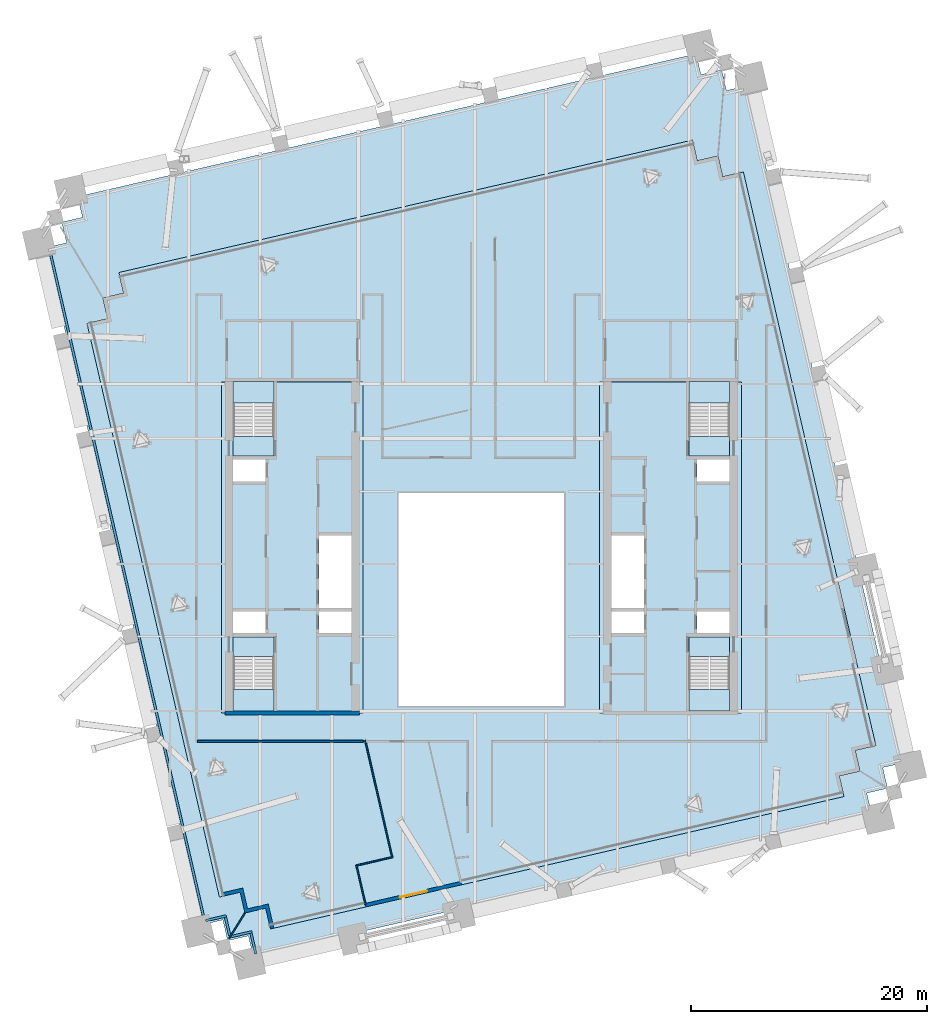
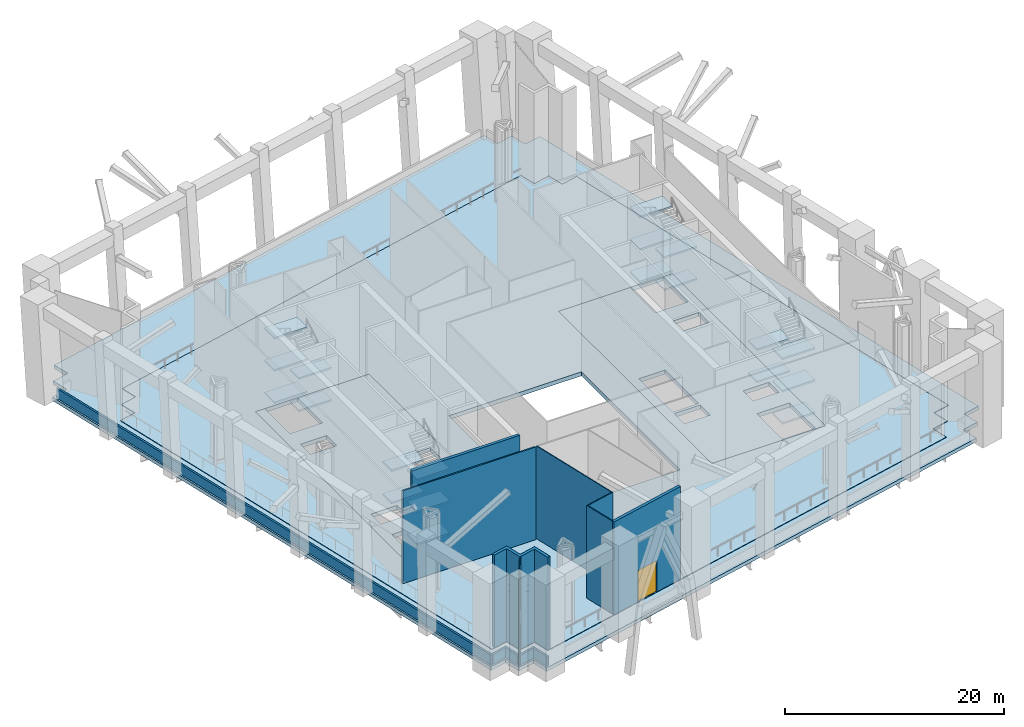
# One storey, part 15 of 25: 24 slabs, 13 walls, 1 door, 1 opening, 4 elements without a shape of their own.
"""IFC4 building model written with IfcOpenShell, lengths in metres."""

from ifc_helpers import new_model, si_unit, direction, frame, frame_2d, origin, place, context, subcontext, project, spatial, polyline, rectangle, outline, extrude, material, layer, layer_set, type_object, element, fill, aggregate, save


model = new_model("IFC4")

# Units and contexts
model_context = context("Model", 3, precision=1e-05, world=origin(), true_north=direction((0.0, 1.0)))
body_context = subcontext(model_context, "Body", "Model", "MODEL_VIEW")
ifc_project = project(units=[si_unit("LENGTHUNIT", "METRE"), si_unit("AREAUNIT", "SQUARE_METRE"), si_unit("VOLUMEUNIT", "CUBIC_METRE"), si_unit("PLANEANGLEUNIT", "RADIAN"), si_unit("MASSUNIT", "GRAM", prefix="KILO")], contexts=[model_context])

# Site, building, storey
site_placement = place(None, origin())
site = spatial("IfcSite", under=ifc_project, at=site_placement, CompositionType="ELEMENT")
building_placement = place(site_placement, origin())
building = spatial("IfcBuilding", under=site, at=building_placement, Name="Ogive Exchange Tower", CompositionType="ELEMENT")
storey_placement = place(building_placement, frame((0.0, 0.0, 226.199951171875)))
storey = spatial("IfcBuildingStorey", under=building, at=storey_placement, Name="L50", CompositionType="ELEMENT", Elevation=226.199951171875)

# Slabs
ifc_material_1 = material(Name="Concrete C50/60", Category="concrete")
ifc_layer_1 = layer(ifc_material_1, 0.449951171875)
ifc_layer_set_1 = layer_set([ifc_layer_1], Name="Composite floor slab 450")
slab_type_1 = type_object("IfcSlabType", Name="Composite floor slab 450", PredefinedType="FLOOR", material=ifc_layer_set_1)
slab_1_placement = place(storey_placement, frame((0.0, 0.0, -0.449951171875)))
element("IfcSlab", 1, at=slab_1_placement, inside=storey, type_object=slab_type_1, Name="Composite floor slab", PredefinedType="FLOOR", context=body_context, shape_type="SweptSolid", body=[
    extrude(outline(polyline([(-18.255615234375, -19.116943359375), (-20.009521484375, -19.52197265625), (-20.414306640625, -17.76806640625), (-22.168212890625, -18.1728515625), (-33.370849609375, 30.3505859375), (-31.616943359375, 30.755615234375), (-32.02197265625, 32.509521484375), (-30.26806640625, 32.914306640625), (-30.6728515625, 34.668212890625), (17.8505859375, 45.870849609375), (18.255615234375, 44.116943359375), (20.009521484375, 44.52197265625), (20.414306640625, 42.76806640625), (22.168212890625, 43.1728515625), (33.370849609375, -5.3505859375), (31.616943359375, -5.755615234375), (32.02197265625, -7.509521484375), (30.26806640625, -7.914306640625), (30.6728515625, -9.668212890625), (-17.8505859375, -20.870849609375), (-18.255615234375, -19.116943359375)]), holes=[polyline([(7.0, -2.0), (7.0, 16.0), (-7.0, 16.0), (-7.0, -2.0), (7.0, -2.0)]), polyline([(-22.0, -2.60009765625), (-10.0, -2.60009765625), (-10.0, 25.39990234375), (-22.0, 25.39990234375), (-22.0, -2.60009765625)]), polyline([(10.0, -2.60009765625), (22.0, -2.60009765625), (22.0, 25.39990234375), (10.0, 25.39990234375), (10.0, -2.60009765625)])]), origin(), (0.0, 0.0, 1.0), 0.449951171875),
])
ifc_material_2 = material(Name="Concrete C70/85", Category="concrete")
ifc_layer_2 = layer(ifc_material_2, 0.449951171875)
ifc_layer_set_2 = layer_set([ifc_layer_2], Name="Core floor slab 450")
slab_type_2 = type_object("IfcSlabType", Name="Core floor slab 450", PredefinedType="FLOOR", material=ifc_layer_set_2)
slab_2_placement = place(storey_placement, frame((0.0, 0.0, -0.449951171875)))
element("IfcSlab", 2, at=slab_2_placement, inside=storey, type_object=slab_type_2, Name="Core floor slab", PredefinedType="FLOOR", context=body_context, shape_type="SweptSolid", body=[
    extrude(outline(polyline([(-10.0, 25.39990234375), (-10.0, -2.60009765625), (-22.0, -2.60009765625), (-22.0, 25.39990234375), (-21.0, 25.39990234375), (-21.0, 20.803955078125), (-17.550048828125, 20.803955078125), (-17.550048828125, 25.39990234375), (-10.0, 25.39990234375)]), holes=[polyline([(-17.550048828125, 2.196044921875), (-21.0, 2.196044921875), (-21.0, -2.449951171875), (-17.550048828125, -2.449951171875), (-17.550048828125, 2.196044921875)]), polyline([(-18.25, 5.992919921875), (-21.0, 5.992919921875), (-21.0, 4.14990234375), (-18.25, 4.14990234375), (-18.25, 5.992919921875)]), polyline([(-11.0, 5.992919921875), (-13.75, 5.992919921875), (-13.75, 4.14990234375), (-11.0, 4.14990234375), (-11.0, 5.992919921875)]), polyline([(-13.75, 12.42138671875), (-13.75, 6.29296875), (-11.0, 6.29296875), (-11.0, 12.42138671875), (-13.75, 12.42138671875)]), polyline([(-18.25, 18.85009765625), (-21.0, 18.85009765625), (-21.0, 17.007080078125), (-18.25, 17.007080078125), (-18.25, 18.85009765625)])]), origin(), (0.0, 0.0, 1.0), 0.449951171875),
])
slab_3_placement = place(storey_placement, frame((0.0, 0.0, -0.449951171875)))
element("IfcSlab", 3, at=slab_3_placement, inside=storey, type_object=slab_type_2, Name="Core floor slab", PredefinedType="FLOOR", context=body_context, shape_type="SweptSolid", body=[
    extrude(outline(polyline([(22.0, 25.39990234375), (22.0, -2.60009765625), (10.0, -2.60009765625), (10.0, 25.39990234375), (17.550048828125, 25.39990234375), (17.550048828125, 20.803955078125), (21.0, 20.803955078125), (21.0, 25.39990234375), (22.0, 25.39990234375)]), holes=[polyline([(21.0, 2.196044921875), (17.550048828125, 2.196044921875), (17.550048828125, -2.449951171875), (21.0, -2.449951171875), (21.0, 2.196044921875)]), polyline([(13.75, 5.992919921875), (11.0, 5.992919921875), (11.0, 4.14990234375), (13.75, 4.14990234375), (13.75, 5.992919921875)]), polyline([(21.0, 5.992919921875), (18.25, 5.992919921875), (18.25, 4.14990234375), (21.0, 4.14990234375), (21.0, 5.992919921875)]), polyline([(11.0, 12.42138671875), (11.0, 6.29296875), (13.75, 6.29296875), (13.75, 12.42138671875), (11.0, 12.42138671875)]), polyline([(21.0, 18.85009765625), (18.25, 18.85009765625), (18.25, 17.007080078125), (21.0, 17.007080078125), (21.0, 18.85009765625)])]), origin(), (0.0, 0.0, 1.0), 0.449951171875),
])
ifc_layer_3 = layer(ifc_material_1, 0.39990234375)
ifc_layer_set_3 = layer_set([ifc_layer_3], Name="Loggia deck 400")
slab_type_3 = type_object("IfcSlabType", Name="Loggia deck 400", PredefinedType="FLOOR", material=ifc_layer_set_3)
slab_4_placement = place(storey_placement, frame((0.0, 0.0, -0.449951171875)))
element("IfcSlab", 4, at=slab_4_placement, inside=storey, type_object=slab_type_3, Name="Loggia deck", PredefinedType="FLOOR", context=body_context, shape_type="SweptSolid", body=[
    extrude(outline(polyline([(-19.717041015625, -21.45556640625), (-21.470947265625, -21.860595703125), (-21.875732421875, -20.106689453125), (-23.629638671875, -20.51171875), (-36.85498046875, 36.77392578125), (-35.101318359375, 37.178955078125), (-35.506103515625, 38.932861328125), (-33.752197265625, 39.337646484375), (-34.156982421875, 41.091552734375), (18.16650390625, 53.17138671875), (18.5712890625, 51.41748046875), (20.3251953125, 51.822509765625), (20.730224609375, 50.068603515625), (22.484130859375, 50.473388671875), (35.70947265625, -6.81201171875), (33.95556640625, -7.217041015625), (34.360595703125, -8.970947265625), (32.606689453125, -9.375732421875), (33.01171875, -11.129638671875), (-19.31201171875, -23.20947265625), (-19.717041015625, -21.45556640625)]), holes=[polyline([(30.26806640625, -7.914306640625), (32.02197265625, -7.509521484375), (31.616943359375, -5.755615234375), (33.370849609375, -5.3505859375), (22.168212890625, 43.1728515625), (20.414306640625, 42.76806640625), (20.009521484375, 44.52197265625), (18.255615234375, 44.116943359375), (17.8505859375, 45.870849609375), (-30.6728515625, 34.668212890625), (-30.26806640625, 32.914306640625), (-32.02197265625, 32.509521484375), (-31.616943359375, 30.755615234375), (-33.370849609375, 30.3505859375), (-22.168212890625, -18.1728515625), (-20.414306640625, -17.76806640625), (-20.009521484375, -19.52197265625), (-18.255615234375, -19.116943359375), (-17.8505859375, -20.870849609375), (30.6728515625, -9.668212890625), (30.26806640625, -7.914306640625)])]), origin(), (0.0, 0.0, 1.0), 0.39990234375),
])

# Stair, slabs
ifc_material_3 = material(Name="Concrete C40/50", Category="concrete")
stair_type = type_object("IfcStairType", Name="Exit stair 1650 wide", PredefinedType="HALF_TURN_STAIR", material=ifc_material_3)
stair_1_placement = place(storey_placement, origin())
stair_1 = element("IfcStair", 5, at=stair_1_placement, inside=storey, type_object=stair_type, Name="L50 exit stair ST1", PredefinedType="HALF_TURN_STAIR")
ifc_layer_4 = layer(ifc_material_3, 0.199951171875)
ifc_layer_set_4 = layer_set([ifc_layer_4], Name="Stair landing 200 slab")
slab_type_4 = type_object("IfcSlabType", Name="Stair landing 200 slab", PredefinedType="LANDING", material=ifc_layer_set_4)
slab_5_placement = place(storey_placement, frame((0.0, 0.0, 1.60009765625)))
slab_5 = element("IfcSlab", 6, at=slab_5_placement, type_object=slab_type_4, Name="ST1 landing 1", PredefinedType="LANDING", context=body_context, shape_type="SweptSolid", body=[
    extrude(outline(polyline([(-21.0, -0.610107421875), (-21.0, -2.449951171875), (-17.550048828125, -2.449951171875), (-17.550048828125, -0.610107421875), (-21.0, -0.610107421875)])), origin(), (0.0, 0.0, 1.0), 0.199951171875),
])
slab_6_placement = place(storey_placement, frame((0.0, 0.0, 3.400146484375)))
slab_6 = element("IfcSlab", 7, at=slab_6_placement, type_object=slab_type_4, Name="ST1 landing 2", PredefinedType="LANDING", context=body_context, shape_type="SweptSolid", body=[
    extrude(outline(polyline([(-21.0, 3.85009765625), (-21.0, 2.199951171875), (-17.550048828125, 2.199951171875), (-17.550048828125, 3.85009765625), (-21.0, 3.85009765625)])), origin(), (0.0, 0.0, 1.0), 0.199951171875),
])
slab_7_placement = place(storey_placement, frame((0.0, 0.0, 5.199951171875)))
slab_7 = element("IfcSlab", 8, at=slab_7_placement, type_object=slab_type_4, Name="ST1 landing 3", PredefinedType="LANDING", context=body_context, shape_type="SweptSolid", body=[
    extrude(outline(polyline([(-21.0, -0.610107421875), (-21.0, -2.449951171875), (-17.550048828125, -2.449951171875), (-17.550048828125, -0.610107421875), (-21.0, -0.610107421875)])), origin(), (0.0, 0.0, 1.0), 0.2001953125),
])
slab_8_placement = place(storey_placement, frame((0.0, 0.0, 7.0)))
slab_8 = element("IfcSlab", 9, at=slab_8_placement, type_object=slab_type_4, Name="ST1 landing 4", PredefinedType="LANDING", context=body_context, shape_type="SweptSolid", body=[
    extrude(outline(polyline([(-21.0, 3.85009765625), (-21.0, 2.199951171875), (-17.550048828125, 2.199951171875), (-17.550048828125, 3.85009765625), (-21.0, 3.85009765625)])), origin(), (0.0, 0.0, 1.0), 0.199951171875),
])
slab_9_placement = place(storey_placement, frame((0.0, 0.0, 8.800048828125)))
slab_9 = element("IfcSlab", 10, at=slab_9_placement, type_object=slab_type_4, Name="ST1 landing 5", PredefinedType="LANDING", context=body_context, shape_type="SweptSolid", body=[
    extrude(outline(polyline([(-21.0, -0.610107421875), (-21.0, -2.449951171875), (-17.550048828125, -2.449951171875), (-17.550048828125, -0.610107421875), (-21.0, -0.610107421875)])), origin(), (0.0, 0.0, 1.0), 0.199951171875),
])
aggregate(stair_1, [slab_5, slab_6, slab_7, slab_8, slab_9])

stair_2_placement = place(storey_placement, origin())
stair_2 = element("IfcStair", 11, at=stair_2_placement, inside=storey, type_object=stair_type, Name="L50 exit stair ST2", PredefinedType="HALF_TURN_STAIR")
slab_10_placement = place(storey_placement, frame((0.0, 0.0, 1.60009765625)))
slab_10 = element("IfcSlab", 12, at=slab_10_placement, type_object=slab_type_4, Name="ST2 landing 1", PredefinedType="LANDING", context=body_context, shape_type="SweptSolid", body=[
    extrude(outline(polyline([(-17.550048828125, 23.610107421875), (-17.550048828125, 25.449951171875), (-21.0, 25.449951171875), (-21.0, 23.610107421875), (-17.550048828125, 23.610107421875)])), origin(), (0.0, 0.0, 1.0), 0.199951171875),
])
slab_11_placement = place(storey_placement, frame((0.0, 0.0, 3.400146484375)))
slab_11 = element("IfcSlab", 13, at=slab_11_placement, type_object=slab_type_4, Name="ST2 landing 2", PredefinedType="LANDING", context=body_context, shape_type="SweptSolid", body=[
    extrude(outline(polyline([(-17.550048828125, 19.14990234375), (-17.550048828125, 20.800048828125), (-21.0, 20.800048828125), (-21.0, 19.14990234375), (-17.550048828125, 19.14990234375)])), origin(), (0.0, 0.0, 1.0), 0.199951171875),
])
slab_12_placement = place(storey_placement, frame((0.0, 0.0, 5.199951171875)))
slab_12 = element("IfcSlab", 14, at=slab_12_placement, type_object=slab_type_4, Name="ST2 landing 3", PredefinedType="LANDING", context=body_context, shape_type="SweptSolid", body=[
    extrude(outline(polyline([(-17.550048828125, 23.610107421875), (-17.550048828125, 25.449951171875), (-21.0, 25.449951171875), (-21.0, 23.610107421875), (-17.550048828125, 23.610107421875)])), origin(), (0.0, 0.0, 1.0), 0.2001953125),
])
slab_13_placement = place(storey_placement, frame((0.0, 0.0, 7.0)))
slab_13 = element("IfcSlab", 15, at=slab_13_placement, type_object=slab_type_4, Name="ST2 landing 4", PredefinedType="LANDING", context=body_context, shape_type="SweptSolid", body=[
    extrude(outline(polyline([(-17.550048828125, 19.14990234375), (-17.550048828125, 20.800048828125), (-21.0, 20.800048828125), (-21.0, 19.14990234375), (-17.550048828125, 19.14990234375)])), origin(), (0.0, 0.0, 1.0), 0.199951171875),
])
slab_14_placement = place(storey_placement, frame((0.0, 0.0, 8.800048828125)))
slab_14 = element("IfcSlab", 16, at=slab_14_placement, type_object=slab_type_4, Name="ST2 landing 5", PredefinedType="LANDING", context=body_context, shape_type="SweptSolid", body=[
    extrude(outline(polyline([(-17.550048828125, 23.610107421875), (-17.550048828125, 25.449951171875), (-21.0, 25.449951171875), (-21.0, 23.610107421875), (-17.550048828125, 23.610107421875)])), origin(), (0.0, 0.0, 1.0), 0.199951171875),
])
aggregate(stair_2, [slab_10, slab_11, slab_12, slab_13, slab_14])

stair_3_placement = place(storey_placement, origin())
stair_3 = element("IfcStair", 17, at=stair_3_placement, inside=storey, type_object=stair_type, Name="L50 exit stair ST3", PredefinedType="HALF_TURN_STAIR")
slab_15_placement = place(storey_placement, frame((0.0, 0.0, 1.60009765625)))
slab_15 = element("IfcSlab", 18, at=slab_15_placement, type_object=slab_type_4, Name="ST3 landing 1", PredefinedType="LANDING", context=body_context, shape_type="SweptSolid", body=[
    extrude(outline(polyline([(17.550048828125, -0.610107421875), (17.550048828125, -2.449951171875), (21.0, -2.449951171875), (21.0, -0.610107421875), (17.550048828125, -0.610107421875)])), origin(), (0.0, 0.0, 1.0), 0.199951171875),
])
slab_16_placement = place(storey_placement, frame((0.0, 0.0, 3.400146484375)))
slab_16 = element("IfcSlab", 19, at=slab_16_placement, type_object=slab_type_4, Name="ST3 landing 2", PredefinedType="LANDING", context=body_context, shape_type="SweptSolid", body=[
    extrude(outline(polyline([(17.550048828125, 3.85009765625), (17.550048828125, 2.199951171875), (21.0, 2.199951171875), (21.0, 3.85009765625), (17.550048828125, 3.85009765625)])), origin(), (0.0, 0.0, 1.0), 0.199951171875),
])
slab_17_placement = place(storey_placement, frame((0.0, 0.0, 5.199951171875)))
slab_17 = element("IfcSlab", 20, at=slab_17_placement, type_object=slab_type_4, Name="ST3 landing 3", PredefinedType="LANDING", context=body_context, shape_type="SweptSolid", body=[
    extrude(outline(polyline([(17.550048828125, -0.610107421875), (17.550048828125, -2.449951171875), (21.0, -2.449951171875), (21.0, -0.610107421875), (17.550048828125, -0.610107421875)])), origin(), (0.0, 0.0, 1.0), 0.2001953125),
])
slab_18_placement = place(storey_placement, frame((0.0, 0.0, 7.0)))
slab_18 = element("IfcSlab", 21, at=slab_18_placement, type_object=slab_type_4, Name="ST3 landing 4", PredefinedType="LANDING", context=body_context, shape_type="SweptSolid", body=[
    extrude(outline(polyline([(17.550048828125, 3.85009765625), (17.550048828125, 2.199951171875), (21.0, 2.199951171875), (21.0, 3.85009765625), (17.550048828125, 3.85009765625)])), origin(), (0.0, 0.0, 1.0), 0.199951171875),
])
slab_19_placement = place(storey_placement, frame((0.0, 0.0, 8.800048828125)))
slab_19 = element("IfcSlab", 22, at=slab_19_placement, type_object=slab_type_4, Name="ST3 landing 5", PredefinedType="LANDING", context=body_context, shape_type="SweptSolid", body=[
    extrude(outline(polyline([(17.550048828125, -0.610107421875), (17.550048828125, -2.449951171875), (21.0, -2.449951171875), (21.0, -0.610107421875), (17.550048828125, -0.610107421875)])), origin(), (0.0, 0.0, 1.0), 0.199951171875),
])
aggregate(stair_3, [slab_15, slab_16, slab_17, slab_18, slab_19])

stair_4_placement = place(storey_placement, origin())
stair_4 = element("IfcStair", 23, at=stair_4_placement, inside=storey, type_object=stair_type, Name="L50 exit stair ST4", PredefinedType="HALF_TURN_STAIR")
slab_20_placement = place(storey_placement, frame((0.0, 0.0, 1.60009765625)))
slab_20 = element("IfcSlab", 24, at=slab_20_placement, type_object=slab_type_4, Name="ST4 landing 1", PredefinedType="LANDING", context=body_context, shape_type="SweptSolid", body=[
    extrude(outline(polyline([(21.0, 23.610107421875), (21.0, 25.449951171875), (17.550048828125, 25.449951171875), (17.550048828125, 23.610107421875), (21.0, 23.610107421875)])), origin(), (0.0, 0.0, 1.0), 0.199951171875),
])
slab_21_placement = place(storey_placement, frame((0.0, 0.0, 3.400146484375)))
slab_21 = element("IfcSlab", 25, at=slab_21_placement, type_object=slab_type_4, Name="ST4 landing 2", PredefinedType="LANDING", context=body_context, shape_type="SweptSolid", body=[
    extrude(outline(polyline([(21.0, 19.14990234375), (21.0, 20.800048828125), (17.550048828125, 20.800048828125), (17.550048828125, 19.14990234375), (21.0, 19.14990234375)])), origin(), (0.0, 0.0, 1.0), 0.199951171875),
])
slab_22_placement = place(storey_placement, frame((0.0, 0.0, 5.199951171875)))
slab_22 = element("IfcSlab", 26, at=slab_22_placement, type_object=slab_type_4, Name="ST4 landing 3", PredefinedType="LANDING", context=body_context, shape_type="SweptSolid", body=[
    extrude(outline(polyline([(21.0, 23.610107421875), (21.0, 25.449951171875), (17.550048828125, 25.449951171875), (17.550048828125, 23.610107421875), (21.0, 23.610107421875)])), origin(), (0.0, 0.0, 1.0), 0.2001953125),
])
slab_23_placement = place(storey_placement, frame((0.0, 0.0, 7.0)))
slab_23 = element("IfcSlab", 27, at=slab_23_placement, type_object=slab_type_4, Name="ST4 landing 4", PredefinedType="LANDING", context=body_context, shape_type="SweptSolid", body=[
    extrude(outline(polyline([(21.0, 19.14990234375), (21.0, 20.800048828125), (17.550048828125, 20.800048828125), (17.550048828125, 19.14990234375), (21.0, 19.14990234375)])), origin(), (0.0, 0.0, 1.0), 0.199951171875),
])
slab_24_placement = place(storey_placement, frame((0.0, 0.0, 8.800048828125)))
slab_24 = element("IfcSlab", 28, at=slab_24_placement, type_object=slab_type_4, Name="ST4 landing 5", PredefinedType="LANDING", context=body_context, shape_type="SweptSolid", body=[
    extrude(outline(polyline([(21.0, 23.610107421875), (21.0, 25.449951171875), (17.550048828125, 25.449951171875), (17.550048828125, 23.610107421875), (21.0, 23.610107421875)])), origin(), (0.0, 0.0, 1.0), 0.199951171875),
])
aggregate(stair_4, [slab_20, slab_21, slab_22, slab_23, slab_24])

# Wall
ifc_material_4 = material(Name="Fire partition EI 60 150")
ifc_layer_5 = layer(ifc_material_4, 0.14990234375)
ifc_layer_set_5 = layer_set([ifc_layer_5], Name="Fire partition EI 60 150")
wall_type_1 = type_object("IfcWallType", Name="Fire partition EI 60 150", PredefinedType="PARTITIONING", material=ifc_layer_set_5)
wall_1_placement = place(storey_placement, frame((-10.0, -5.0, 0.0), z_axis=(0.0, 0.0, 1.0), x_axis=(-1.0, 0.0, 0.0)))
element("IfcWall", 29, at=wall_1_placement, inside=storey, type_object=wall_type_1, Name="L50-PWL-006", PredefinedType="PARTITIONING", context=body_context, shape_type="SweptSolid", body=[
    extrude(rectangle(XDim=14.02490234375, YDim=0.14990234375, at=frame_2d((7.012451171875, 0.0))), origin(), (0.0, 0.0, 1.0), 10.35009765625),
])

# Wall, opening, door
ifc_material_5 = material(Name="Precast concrete C40/50", Category="concrete")
ifc_layer_6 = layer(ifc_material_5, 0.300048828125)
ifc_layer_set_6 = layer_set([ifc_layer_6], Name="Limestone-faced wall 300")
wall_type_2 = type_object("IfcWallType", Name="Limestone-faced wall 300", PredefinedType="STANDARD", material=ifc_layer_set_6)
wall_2_placement = place(storey_placement, frame((-9.797119140625, -18.857666015625, 0.0), z_axis=(0.0, 0.0, 1.0), x_axis=(0.97436689797, 0.224964770888, 0.0)))
wall_2 = element("IfcWall", 30, at=wall_2_placement, inside=storey, type_object=wall_type_2, Name="External wall S1", PredefinedType="STANDARD", context=body_context, shape_type="SweptSolid", body=[
    extrude(rectangle(XDim=8.2998046875, YDim=0.300048828125, at=frame_2d((4.14990234375, 0.0))), origin(), (0.0, 0.0, 1.0), 10.35009765625),
])
opening_placement = place(wall_2_placement, frame((2.949951171875, 0.0, 0.0)))
opening = element("IfcOpeningElement", 31, at=opening_placement, cuts=wall_2, Name="Opening D1", PredefinedType="OPENING", context=body_context, shape_type="SweptSolid", body=[
    extrude(rectangle(XDim=2.39990234375, YDim=3.5, at=frame_2d((1.199951171875, 1.75))), frame((0.0, 0.159912109375, 0.0), z_axis=(0.0, -1.0, 0.0), x_axis=(1.0, 0.0, 0.0)), (0.0, 0.0, 1.0), 0.320068359375),
])
ifc_material_6 = material(Name="Clear glass in bronze frame", Category="glass")
door_type = type_object("IfcDoorType", Name="Sliding loggia door 2400 x 3500", OperationType="DOUBLE_DOOR_SLIDING", PredefinedType="DOOR", material=ifc_material_6)
door_placement = place(opening_placement, origin())
door = element("IfcDoor", 32, at=door_placement, inside=storey, type_object=door_type, Name="Loggia door S01", OperationType="DOUBLE_DOOR_SLIDING", OverallHeight=3.5, OverallWidth=2.39990234375, PredefinedType="DOOR", context=body_context, shape_type="SweptSolid", body=[
    extrude(rectangle(XDim=2.39990234375, YDim=3.5, at=frame_2d((1.199951171875, 1.75))), frame((0.0, 0.02490234375, 0.0), z_axis=(0.0, -1.0, 0.0), x_axis=(1.0, 0.0, 0.0)), (0.0, 0.0, 1.0), 0.050048828125),
])
fill(opening, door)

# Walls
wall_3_placement = place(storey_placement, origin())
element("IfcWall", 33, at=wall_3_placement, inside=storey, type_object=wall_type_2, Name="External corner wall C4", PredefinedType="STANDARD", context=body_context, shape_type="SweptSolid", body=[
    extrude(outline(polyline([(-18.255615234375, -19.116943359375), (-20.009521484375, -19.52197265625), (-20.414306640625, -17.76806640625), (-21.8759765625, -18.10546875), (-21.943359375, -17.81298828125), (-20.189697265625, -17.408203125), (-19.78466796875, -19.162109375), (-18.03076171875, -18.757080078125), (-17.558349609375, -20.80322265625), (-17.8505859375, -20.870849609375), (-18.255615234375, -19.116943359375)])), origin(), (0.0, 0.0, 1.0), 10.35009765625),
])
ifc_material_7 = material(Name="Laminated safety glass in steel frame", Category="steel")
ifc_layer_7 = layer(ifc_material_7, 0.10009765625)
ifc_layer_set_7 = layer_set([ifc_layer_7], Name="Loggia end screen 100")
wall_type_3 = type_object("IfcWallType", Name="Loggia end screen 100", PredefinedType="STANDARD", material=ifc_layer_set_7)
wall_4_placement = place(storey_placement, frame((-20.009521484375, -19.52197265625, -0.050048828125), z_axis=(0.0, 0.0, 1.0), x_axis=(-0.529920736377, -0.848047176257, 0.0)))
element("IfcWall", 34, at=wall_4_placement, inside=storey, type_object=wall_type_3, Name="Loggia end screen C4", PredefinedType="STANDARD", context=body_context, shape_type="SweptSolid", body=[
    extrude(rectangle(XDim=2.525634765625, YDim=0.10009765625, at=frame_2d((1.2626953125, 0.0))), origin(), (0.0, 0.0, 1.0), 10.400146484375),
])
ifc_material_8 = material(Name="Partition 100 gypsum")
ifc_layer_8 = layer(ifc_material_8, 0.10009765625)
ifc_layer_set_8 = layer_set([ifc_layer_8], Name="Partition 100 gypsum")
wall_type_4 = type_object("IfcWallType", Name="Partition 100 gypsum", PredefinedType="PARTITIONING", material=ifc_layer_set_8)
wall_5_placement = place(storey_placement, frame((-10.5810546875, -15.450927734375, 0.0), z_axis=(0.0, 0.0, 1.0), x_axis=(0.225511423648, -0.97424052359, 0.0)))
element("IfcWall", 35, at=wall_5_placement, inside=storey, type_object=wall_type_4, Name="L50-PWL-004", PredefinedType="PARTITIONING", context=body_context, shape_type="SweptSolid", body=[
    extrude(rectangle(XDim=3.446044921875, YDim=0.10009765625, at=frame_2d((1.72314453125, 0.0))), origin(), (0.0, 0.0, 1.0), 10.35009765625),
])
wall_6_placement = place(storey_placement, frame((-10.52099609375, -15.489013671875, 0.0), z_axis=(0.0, 0.0, 1.0), x_axis=(0.9741770602, 0.225785418884, 0.0)))
element("IfcWall", 36, at=wall_6_placement, inside=storey, type_object=wall_type_4, Name="L50-PWL-005", PredefinedType="PARTITIONING", context=body_context, shape_type="SweptSolid", body=[
    extrude(rectangle(XDim=3.10009765625, YDim=0.10009765625, at=frame_2d((1.550048828125, 0.0))), origin(), (0.0, 0.0, 1.0), 10.35009765625),
])
wall_7_placement = place(storey_placement, frame((-9.826904296875, -4.927001953125, 0.0), z_axis=(0.0, 0.0, 1.0), x_axis=(0.224746316987, -0.974417309473, 0.0)))
element("IfcWall", 37, at=wall_7_placement, inside=storey, type_object=wall_type_4, Name="L50-PWL-009", PredefinedType="PARTITIONING", context=body_context, shape_type="SweptSolid", body=[
    extrude(rectangle(XDim=10.081787109375, YDim=0.10009765625, at=frame_2d((5.041015625, 0.0))), origin(), (0.0, 0.0, 1.0), 10.35009765625),
])
ifc_layer_9 = layer(ifc_material_5, 0.199951171875)
ifc_layer_set_9 = layer_set([ifc_layer_9], Name="Plant deck parapet 200")
wall_type_5 = type_object("IfcWallType", Name="Plant deck parapet 200", PredefinedType="STANDARD", material=ifc_layer_set_9)
wall_8_placement = place(storey_placement, frame((-36.5087890625, 36.47412109375, -0.050048828125), z_axis=(0.0, 0.0, 1.0), x_axis=(0.224952557287, -0.974369717802, 0.0)))
element("IfcWall", 38, at=wall_8_placement, inside=storey, type_object=wall_type_5, Name="Plant deck parapet 16", PredefinedType="STANDARD", context=body_context, shape_type="SweptSolid", body=[
    extrude(rectangle(XDim=58.252197265625, YDim=0.199951171875, at=frame_2d((29.1259765625, 0.0))), origin(), (0.0, 0.0, 1.0), 1.10009765625),
])
wall_9_placement = place(storey_placement, frame((-23.329833984375, -20.165283203125, -0.050048828125), z_axis=(0.0, 0.0, 1.0), x_axis=(0.974386623598, 0.224879318197, 0.0)))
element("IfcWall", 39, at=wall_9_placement, inside=storey, type_object=wall_type_5, Name="Plant deck parapet 17", PredefinedType="STANDARD", context=body_context, shape_type="SweptSolid", body=[
    extrude(rectangle(XDim=1.800048828125, YDim=0.199951171875, at=frame_2d((0.89990234375, 0.0))), origin(), (0.0, 0.0, 1.0), 1.10009765625),
])
wall_10_placement = place(storey_placement, frame((-21.65087890625, -19.88037109375, -0.050048828125), z_axis=(0.0, 0.0, 1.0), x_axis=(0.224848418559, -0.97439375443, 0.0)))
element("IfcWall", 40, at=wall_10_placement, inside=storey, type_object=wall_type_5, Name="Plant deck parapet 18", PredefinedType="STANDARD", context=body_context, shape_type="SweptSolid", body=[
    extrude(rectangle(XDim=1.608154296875, YDim=0.199951171875, at=frame_2d((0.80419921875, 0.0))), origin(), (0.0, 0.0, 1.0), 1.10009765625),
])
for number, where, z_axis, x_axis, name in (
    (41, (-21.171142578125, -21.51416015625, -0.050048828125), (0.0, 0.0, 1.0), (0.974386623598, 0.224879318197, 0.0), "Plant deck parapet 19"),
    (42, (-19.4921875, -21.229248046875, -0.050048828125), (0.0, 0.0, 1.0), (0.225008086135, -0.974356896201, 0.0), "Plant deck parapet 20"),
):
    element("IfcWall", number, at=place(storey_placement, frame(where, z_axis=z_axis, x_axis=x_axis)), inside=storey, type_object=wall_type_5, Name=name, PredefinedType="STANDARD", context=body_context, shape_type="SweptSolid", body=[
        extrude(rectangle(XDim=1.800048828125, YDim=0.199951171875, at=frame_2d((0.89990234375, 0.0))), origin(), (0.0, 0.0, 1.0), 1.10009765625),
    ])
ifc_layer_10 = layer(ifc_material_2, 0.300048828125)
ifc_layer_set_10 = layer_set([ifc_layer_10], Name="RC core wall 300 C70/85")
wall_type_6 = type_object("IfcWallType", Name="RC core wall 300 C70/85", PredefinedType="SHEAR", material=ifc_layer_set_10)
wall_11_placement = place(storey_placement, frame((-21.699951171875, -2.60009765625, 0.0), z_axis=(0.0, 0.0, 1.0), x_axis=(1.0, 0.0, 0.0)))
element("IfcWall", 43, at=wall_11_placement, inside=storey, type_object=wall_type_6, Name="W south end wall", PredefinedType="SHEAR", context=body_context, shape_type="SweptSolid", body=[
    extrude(rectangle(XDim=11.39990234375, YDim=0.300048828125, at=frame_2d((5.699951171875, 0.0))), origin(), (0.0, 0.0, 1.0), 10.35009765625),
])

save(model, "model.ifc")
